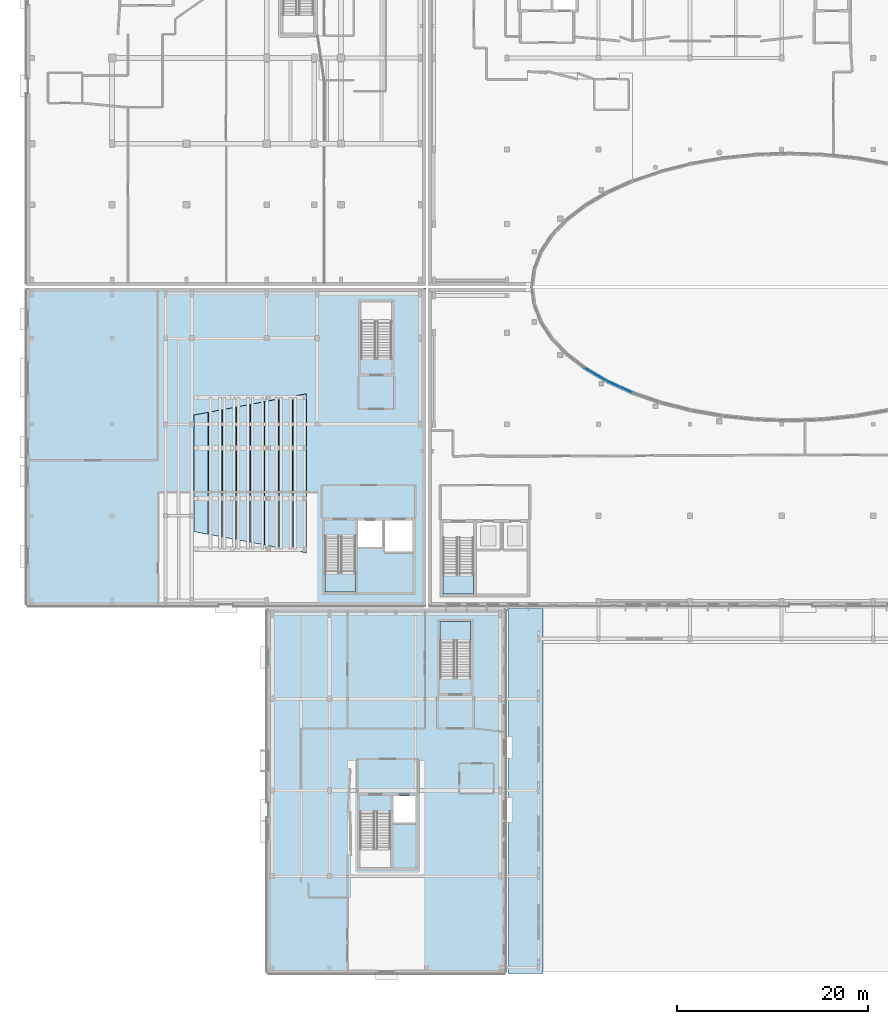
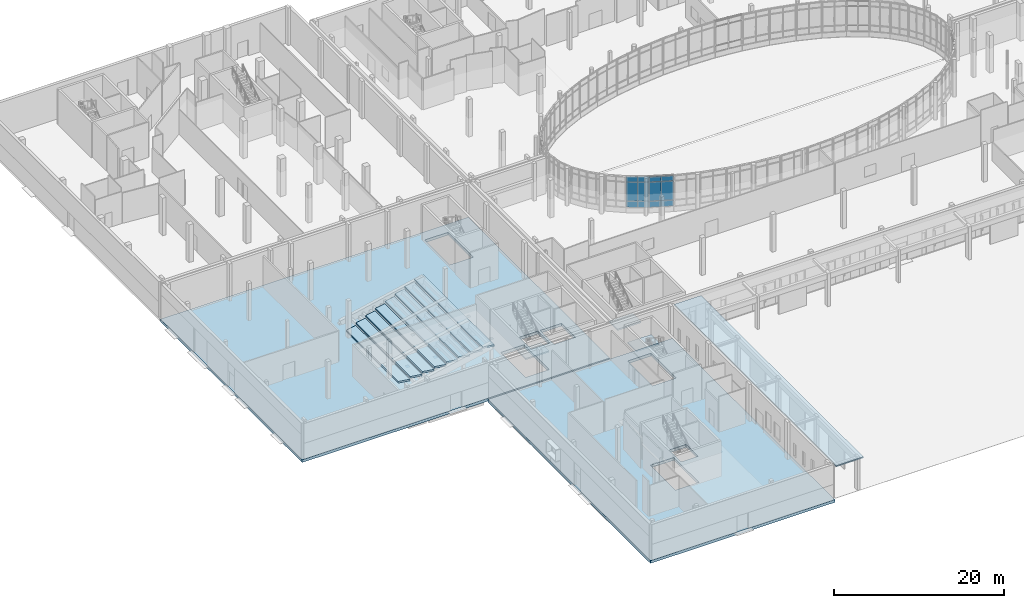
# One storey, part 28 of 84: 14 slabs, 12 plates, 5 elements without a shape of their own.
"""IFC4 building model written with IfcOpenShell, lengths in metres."""

from ifc_helpers import new_model, si_unit, direction, frame, origin, origin_2d, place, context, subcontext, project, spatial, polyline, rectangle, outline, extrude, material, layer, layer_set, type_object, element, aggregate, save


model = new_model("IFC4")

# Units and contexts
model_context = context("Model", 3, precision=1e-05, world=origin(), true_north=direction((0.0, 1.0)))
body_context = subcontext(model_context, "Body", "Model", "MODEL_VIEW")
ifc_project = project(units=[si_unit("LENGTHUNIT", "METRE"), si_unit("AREAUNIT", "SQUARE_METRE"), si_unit("VOLUMEUNIT", "CUBIC_METRE"), si_unit("PLANEANGLEUNIT", "RADIAN"), si_unit("MASSUNIT", "GRAM", prefix="KILO")], contexts=[model_context])

# Site, building, storey
site_placement = place(None, origin())
site = spatial("IfcSite", under=ifc_project, at=site_placement, CompositionType="ELEMENT")
building_placement = place(site_placement, origin())
building = spatial("IfcBuilding", under=site, at=building_placement, Name="Mzevani Central Library", CompositionType="ELEMENT")
storey_placement = place(building_placement, origin())
storey = spatial("IfcBuildingStorey", under=building, at=storey_placement, Name="L00", CompositionType="ELEMENT", Elevation=0.0)

# Slabs
ifc_material_1 = material(Name="Concrete C35/45", Category="concrete")
ifc_layer_1 = layer(ifc_material_1, 0.239990234375, Name="Auditorium Raked Tier Slab 240")
ifc_layer_set_1 = layer_set([ifc_layer_1], Name="Concrete C35/45")
slab_type_1 = type_object("IfcSlabType", Name="Auditorium Raked Tier Slab 240", PredefinedType="USERDEFINED", material=ifc_layer_set_1)
slab_1_placement = place(storey_placement, frame((0.0, 0.0, 0.1201171875)))
element("IfcSlab", 1, at=slab_1_placement, inside=storey, type_object=slab_type_1, Name="L00 Raked Auditorium Seating Tier 1", ObjectType="SEATING TIER", PredefinedType="USERDEFINED", context=body_context, shape_type="SweptSolid", body=[
    extrude(outline(polyline([(21.60009765625, 50.340087890625), (23.0400390625, 50.06005859375), (23.0400390625, 62.840087890625), (21.60009765625, 62.56005859375), (21.60009765625, 50.340087890625)])), origin(), (0.0, 0.0, 1.0), 0.239990234375),
])
slab_2_placement = place(storey_placement, frame((0.0, 0.0, 0.47998046875)))
element("IfcSlab", 2, at=slab_2_placement, inside=storey, type_object=slab_type_1, Name="L00 Raked Auditorium Seating Tier 2", ObjectType="SEATING TIER", PredefinedType="USERDEFINED", context=body_context, shape_type="SweptSolid", body=[
    extrude(outline(polyline([(23.080078125, 50.06005859375), (24.52001953125, 49.780029296875), (24.52001953125, 63.1201171875), (23.080078125, 62.840087890625), (23.080078125, 50.06005859375)])), origin(), (0.0, 0.0, 1.0), 0.239990234375),
])
slab_3_placement = place(storey_placement, frame((0.0, 0.0, 0.840087890625)))
element("IfcSlab", 3, at=slab_3_placement, inside=storey, type_object=slab_type_1, Name="L00 Raked Auditorium Seating Tier 3", ObjectType="SEATING TIER", PredefinedType="USERDEFINED", context=body_context, shape_type="SweptSolid", body=[
    extrude(outline(polyline([(24.56005859375, 49.780029296875), (26.0, 49.5), (26.0, 63.39990234375), (24.56005859375, 63.1201171875), (24.56005859375, 49.780029296875)])), origin(), (0.0, 0.0, 1.0), 0.239990234375),
])
slab_4_placement = place(storey_placement, frame((0.0, 0.0, 1.199951171875)))
element("IfcSlab", 4, at=slab_4_placement, inside=storey, type_object=slab_type_1, Name="L00 Raked Auditorium Seating Tier 4", ObjectType="SEATING TIER", PredefinedType="USERDEFINED", context=body_context, shape_type="SweptSolid", body=[
    extrude(outline(polyline([(26.0400390625, 49.5), (27.47998046875, 49.219970703125), (27.47998046875, 63.679931640625), (26.0400390625, 63.39990234375), (26.0400390625, 49.5)])), origin(), (0.0, 0.0, 1.0), 0.239990234375),
])
slab_5_placement = place(storey_placement, frame((0.0, 0.0, 1.56005859375)))
element("IfcSlab", 5, at=slab_5_placement, inside=storey, type_object=slab_type_1, Name="L00 Raked Auditorium Seating Tier 5", ObjectType="SEATING TIER", PredefinedType="USERDEFINED", context=body_context, shape_type="SweptSolid", body=[
    extrude(outline(polyline([(27.52001953125, 49.219970703125), (28.9599609375, 48.93994140625), (28.9599609375, 63.9599609375), (27.52001953125, 63.679931640625), (27.52001953125, 49.219970703125)])), origin(), (0.0, 0.0, 1.0), 0.239990234375),
])
slab_6_placement = place(storey_placement, frame((0.0, 0.0, 1.919921875)))
element("IfcSlab", 6, at=slab_6_placement, inside=storey, type_object=slab_type_1, Name="L00 Raked Auditorium Seating Tier 6", ObjectType="SEATING TIER", PredefinedType="USERDEFINED", context=body_context, shape_type="SweptSolid", body=[
    extrude(outline(polyline([(29.0, 48.93994140625), (30.43994140625, 48.659912109375), (30.43994140625, 64.239990234375), (29.0, 63.9599609375), (29.0, 48.93994140625)])), origin(), (0.0, 0.0, 1.0), 0.239990234375),
])
slab_7_placement = place(storey_placement, frame((0.0, 0.0, 2.280029296875)))
element("IfcSlab", 7, at=slab_7_placement, inside=storey, type_object=slab_type_1, Name="L00 Raked Auditorium Seating Tier 7", ObjectType="SEATING TIER", PredefinedType="USERDEFINED", context=body_context, shape_type="SweptSolid", body=[
    extrude(outline(polyline([(30.47998046875, 48.659912109375), (31.919921875, 48.3798828125), (31.919921875, 64.52001953125), (30.47998046875, 64.239990234375), (30.47998046875, 48.659912109375)])), origin(), (0.0, 0.0, 1.0), 0.239990234375),
])
slab_8_placement = place(storey_placement, frame((0.0, 0.0, 2.639892578125)))
element("IfcSlab", 8, at=slab_8_placement, inside=storey, type_object=slab_type_1, Name="L00 Raked Auditorium Seating Tier 8", ObjectType="SEATING TIER", PredefinedType="USERDEFINED", context=body_context, shape_type="SweptSolid", body=[
    extrude(outline(polyline([(31.9599609375, 48.3798828125), (33.39990234375, 48.10009765625), (33.39990234375, 64.800048828125), (31.9599609375, 64.52001953125), (31.9599609375, 48.3798828125)])), origin(), (0.0, 0.0, 1.0), 0.239990234375),
])

# Curtain wall, plates
ifc_material_2 = material(Name="Thermally broken aluminium and Low-E triple glazing", Category="aluminium")
curtain_wall_type_1 = type_object("IfcCurtainWallType", Name="Elliptical Court Unitised Curtain Wall", PredefinedType="NOTDEFINED", material=ifc_material_2)
curtain_wall_1_placement = place(storey_placement, origin())
curtain_wall_1 = element("IfcCurtainWall", 9, at=curtain_wall_1_placement, inside=storey, type_object=curtain_wall_type_1, Name="L00 Elliptical Court Curtain Wall 30", PredefinedType="NOTDEFINED")
ifc_material_3 = material(Name="Thermally broken aluminium AW-6060", Category="aluminium")
ifc_layer_2 = layer(ifc_material_3, 0.0419921875, Name="CW Insulated Spandrel Panel 42")
ifc_layer_set_2 = layer_set([ifc_layer_2], Name="Thermally broken aluminium AW-6060")
plate_type_1 = type_object("IfcPlateType", Name="CW Insulated Spandrel Panel 42", PredefinedType="CURTAIN_PANEL", material=ifc_layer_set_2)
plate_1_placement = place(storey_placement, frame((63.115478515625, 67.161376953125, 0.719970703125), z_axis=(0.0, 0.0, 1.0), x_axis=(0.862137189544, -0.506674911956, 0.0)))
plate_1 = element("IfcPlate", 10, at=plate_1_placement, type_object=plate_type_1, Name="L00 Elliptical Court Curtain Wall 30 Spandrel Panel 1", PredefinedType="CURTAIN_PANEL", context=body_context, shape_type="SweptSolid", body=[
    extrude(rectangle(XDim=1.340576171875, YDim=0.0419921875, at=origin_2d()), origin(), (0.0, 0.0, 1.0), 0.89990234375),
])
plate_2_placement = place(storey_placement, frame((64.271240234375, 66.482177734375, 0.719970703125), z_axis=(0.0, 0.0, 1.0), x_axis=(0.862137189544, -0.506674911956, 0.0)))
plate_2 = element("IfcPlate", 11, at=plate_2_placement, type_object=plate_type_1, Name="L00 Elliptical Court Curtain Wall 30 Spandrel Panel 4", PredefinedType="CURTAIN_PANEL", context=body_context, shape_type="SweptSolid", body=[
    extrude(rectangle(XDim=1.340576171875, YDim=0.0419921875, at=origin_2d()), origin(), (0.0, 0.0, 1.0), 0.89990234375),
])

curtain_wall_type_2 = type_object("IfcCurtainWallType", Name="Reading Hall Northlight Curtain Wall", PredefinedType="NOTDEFINED", material=ifc_material_2)
curtain_wall_2_placement = place(storey_placement, origin())
curtain_wall_2 = element("IfcCurtainWall", 12, at=curtain_wall_2_placement, inside=storey, type_object=curtain_wall_type_2, Name="L00 Elliptical Court Curtain Wall 31", PredefinedType="NOTDEFINED")
plate_3_placement = place(storey_placement, frame((65.518798828125, 65.823974609375, 0.719970703125), z_axis=(0.0, 0.0, 1.0), x_axis=(0.911237291888, -0.411881776573, 0.0)))
plate_3 = element("IfcPlate", 13, at=plate_3_placement, type_object=plate_type_1, Name="L00 Elliptical Court Curtain Wall 31 Spandrel Panel 1", PredefinedType="CURTAIN_PANEL", context=body_context, shape_type="SweptSolid", body=[
    extrude(rectangle(XDim=1.4462890625, YDim=0.0419921875, at=origin_2d()), origin(), (0.0, 0.0, 1.0), 0.89990234375),
])
plate_4_placement = place(storey_placement, frame((66.836669921875, 65.228271484375, 0.719970703125), z_axis=(0.0, 0.0, 1.0), x_axis=(0.911237291888, -0.411881776573, 0.0)))
plate_4 = element("IfcPlate", 14, at=plate_4_placement, type_object=plate_type_1, Name="L00 Elliptical Court Curtain Wall 31 Spandrel Panel 4", PredefinedType="CURTAIN_PANEL", context=body_context, shape_type="SweptSolid", body=[
    extrude(rectangle(XDim=1.4462890625, YDim=0.0419921875, at=origin_2d()), origin(), (0.0, 0.0, 1.0), 0.89990234375),
])

# Plate
ifc_material_4 = material(Name="Low-E triple glazing glass", Category="glass")
ifc_layer_3 = layer(ifc_material_4, 0.028076171875, Name="CW Triple Glazed Vision Panel 28")
ifc_layer_set_3 = layer_set([ifc_layer_3], Name="Low-E triple glazing glass")
plate_type_2 = type_object("IfcPlateType", Name="CW Triple Glazed Vision Panel 28", PredefinedType="CURTAIN_PANEL", material=ifc_layer_set_3)
plate_5_placement = place(storey_placement, frame((63.115478515625, 67.161376953125, 1.6201171875), z_axis=(0.0, 0.0, 1.0), x_axis=(0.862137189544, -0.506674911956, 0.0)))
plate_5 = element("IfcPlate", 15, at=plate_5_placement, type_object=plate_type_2, Name="L00 Elliptical Court Curtain Wall 30 Vision Panel 2", PredefinedType="CURTAIN_PANEL", context=body_context, shape_type="SweptSolid", body=[
    extrude(rectangle(XDim=1.340576171875, YDim=0.028076171875, at=origin_2d()), origin(), (0.0, 0.0, 1.0), 2.75),
])

plate_6_placement = place(storey_placement, frame((63.115478515625, 67.161376953125, 4.3701171875), z_axis=(0.0, 0.0, 1.0), x_axis=(0.862137189544, -0.506674911956, 0.0)))
plate_6 = element("IfcPlate", 16, at=plate_6_placement, type_object=plate_type_2, Name="L00 Elliptical Court Curtain Wall 30 Vision Panel 3", PredefinedType="CURTAIN_PANEL", context=body_context, shape_type="SweptSolid", body=[
    extrude(rectangle(XDim=1.340576171875, YDim=0.028076171875, at=origin_2d()), origin(), (0.0, 0.0, 1.0), 0.75),
])

plate_7_placement = place(storey_placement, frame((64.271240234375, 66.482177734375, 1.6201171875), z_axis=(0.0, 0.0, 1.0), x_axis=(0.862137189544, -0.506674911956, 0.0)))
plate_7 = element("IfcPlate", 17, at=plate_7_placement, type_object=plate_type_2, Name="L00 Elliptical Court Curtain Wall 30 Vision Panel 5", PredefinedType="CURTAIN_PANEL", context=body_context, shape_type="SweptSolid", body=[
    extrude(rectangle(XDim=1.340576171875, YDim=0.028076171875, at=origin_2d()), origin(), (0.0, 0.0, 1.0), 2.75),
])

plate_8_placement = place(storey_placement, frame((64.271240234375, 66.482177734375, 4.3701171875), z_axis=(0.0, 0.0, 1.0), x_axis=(0.862137189544, -0.506674911956, 0.0)))
plate_8 = element("IfcPlate", 18, at=plate_8_placement, type_object=plate_type_2, Name="L00 Elliptical Court Curtain Wall 30 Vision Panel 6", PredefinedType="CURTAIN_PANEL", context=body_context, shape_type="SweptSolid", body=[
    extrude(rectangle(XDim=1.340576171875, YDim=0.028076171875, at=origin_2d()), origin(), (0.0, 0.0, 1.0), 0.75),
])

aggregate(curtain_wall_1, [plate_1, plate_5, plate_6, plate_2, plate_7, plate_8])

plate_9_placement = place(storey_placement, frame((65.518798828125, 65.823974609375, 1.6201171875), z_axis=(0.0, 0.0, 1.0), x_axis=(0.911237291888, -0.411881776573, 0.0)))
plate_9 = element("IfcPlate", 19, at=plate_9_placement, type_object=plate_type_2, Name="L00 Elliptical Court Curtain Wall 31 Vision Panel 2", PredefinedType="CURTAIN_PANEL", context=body_context, shape_type="SweptSolid", body=[
    extrude(rectangle(XDim=1.4462890625, YDim=0.028076171875, at=origin_2d()), origin(), (0.0, 0.0, 1.0), 2.75),
])

plate_10_placement = place(storey_placement, frame((65.518798828125, 65.823974609375, 4.3701171875), z_axis=(0.0, 0.0, 1.0), x_axis=(0.911237291888, -0.411881776573, 0.0)))
plate_10 = element("IfcPlate", 20, at=plate_10_placement, type_object=plate_type_2, Name="L00 Elliptical Court Curtain Wall 31 Vision Panel 3", PredefinedType="CURTAIN_PANEL", context=body_context, shape_type="SweptSolid", body=[
    extrude(rectangle(XDim=1.4462890625, YDim=0.028076171875, at=origin_2d()), origin(), (0.0, 0.0, 1.0), 0.75),
])

plate_11_placement = place(storey_placement, frame((66.836669921875, 65.228271484375, 1.6201171875), z_axis=(0.0, 0.0, 1.0), x_axis=(0.911237291888, -0.411881776573, 0.0)))
plate_11 = element("IfcPlate", 21, at=plate_11_placement, type_object=plate_type_2, Name="L00 Elliptical Court Curtain Wall 31 Vision Panel 5", PredefinedType="CURTAIN_PANEL", context=body_context, shape_type="SweptSolid", body=[
    extrude(rectangle(XDim=1.4462890625, YDim=0.028076171875, at=origin_2d()), origin(), (0.0, 0.0, 1.0), 2.75),
])

plate_12_placement = place(storey_placement, frame((66.836669921875, 65.228271484375, 4.3701171875), z_axis=(0.0, 0.0, 1.0), x_axis=(0.911237291888, -0.411881776573, 0.0)))
plate_12 = element("IfcPlate", 22, at=plate_12_placement, type_object=plate_type_2, Name="L00 Elliptical Court Curtain Wall 31 Vision Panel 6", PredefinedType="CURTAIN_PANEL", context=body_context, shape_type="SweptSolid", body=[
    extrude(rectangle(XDim=1.4462890625, YDim=0.028076171875, at=origin_2d()), origin(), (0.0, 0.0, 1.0), 0.75),
])

aggregate(curtain_wall_2, [plate_3, plate_9, plate_10, plate_4, plate_11, plate_12])

# Slabs
ifc_material_5 = material(Name="Precast concrete C40/50", Category="concrete")
ifc_layer_4 = layer(ifc_material_5, 0.159912109375, Name="Colonnade Shade Canopy Slab 160")
ifc_layer_set_4 = layer_set([ifc_layer_4], Name="Precast concrete C40/50")
slab_type_2 = type_object("IfcSlabType", Name="Colonnade Shade Canopy Slab 160", PredefinedType="ROOF", material=ifc_layer_set_4)
slab_9_placement = place(storey_placement, frame((0.0, 0.0, 4.639892578125)))
element("IfcSlab", 23, at=slab_9_placement, inside=storey, type_object=slab_type_2, Name="L00 Mzevani Square COL-WEST Canopy Slab", PredefinedType="ROOF", context=body_context, shape_type="SweptSolid", body=[
    extrude(outline(polyline([(58.199951171875, 4.0), (54.5, 4.0), (54.5, 42.300048828125), (58.199951171875, 42.300048828125), (58.199951171875, 4.0)])), origin(), (0.0, 0.0, 1.0), 0.16015625),
])
ifc_layer_5 = layer(ifc_material_1, 0.280029296875, Name="Open Stack Floor Slab 280")
ifc_layer_set_5 = layer_set([ifc_layer_5], Name="Concrete C35/45")
slab_type_3 = type_object("IfcSlabType", Name="Open Stack Floor Slab 280", PredefinedType="FLOOR", material=ifc_layer_set_5)
slab_10_placement = place(storey_placement, frame((0.0, 0.0, -0.39990234375)))
element("IfcSlab", 24, at=slab_10_placement, inside=storey, type_object=slab_type_3, Name="L00 V4 Structural Slab FS-03", PredefinedType="FLOOR", context=body_context, shape_type="SweptSolid", body=[
    extrude(outline(polyline([(54.300048828125, 4.0), (29.199951171875, 4.0), (29.199951171875, 42.300048828125), (54.300048828125, 42.300048828125), (54.300048828125, 4.0)]), holes=[polyline([(39.0, 21.0), (39.0, 15.10009765625), (42.199951171875, 15.10009765625), (42.199951171875, 21.0), (39.0, 21.0)]), polyline([(42.5, 19.800048828125), (44.800048828125, 19.800048828125), (44.800048828125, 22.60009765625), (42.5, 22.60009765625), (42.5, 19.800048828125)]), polyline([(50.60009765625, 35.0), (50.60009765625, 40.89990234375), (47.39990234375, 40.89990234375), (47.39990234375, 35.0), (50.60009765625, 35.0)])]), origin(), (0.0, 0.0, 1.0), 0.39990234375),
])
slab_11_placement = place(storey_placement, frame((0.0, 0.0, -0.39990234375)))
element("IfcSlab", 25, at=slab_11_placement, inside=storey, type_object=slab_type_3, Name="L00 V5 Structural Slab FS-03", PredefinedType="FLOOR", context=body_context, shape_type="SweptSolid", body=[
    extrude(outline(polyline([(45.89990234375, 42.5), (4.0, 42.5), (4.0, 75.89990234375), (45.89990234375, 75.89990234375), (45.89990234375, 42.5)]), holes=[polyline([(35.300048828125, 49.89990234375), (35.300048828125, 44.0), (38.5, 44.0), (38.5, 49.89990234375), (35.300048828125, 49.89990234375)]), polyline([(38.800048828125, 48.699951171875), (41.300048828125, 48.699951171875), (41.300048828125, 51.5), (38.800048828125, 51.5), (38.800048828125, 48.699951171875)]), polyline([(41.60009765625, 48.199951171875), (44.5, 48.199951171875), (44.5, 51.5), (41.60009765625, 51.5), (41.60009765625, 48.199951171875)]), polyline([(42.300048828125, 68.5), (42.300048828125, 74.39990234375), (39.10009765625, 74.39990234375), (39.10009765625, 68.5), (42.300048828125, 68.5)])]), origin(), (0.0, 0.0, 1.0), 0.39990234375),
])

# Stair, slab
stair_type = type_object("IfcStairType", Name="Dogleg Exit Stair 180x280", PredefinedType="HALF_TURN_STAIR", material=ifc_material_1)
stair_1_placement = place(storey_placement, origin())
stair_1 = element("IfcStair", 26, at=stair_1_placement, inside=storey, type_object=stair_type, Name="L00 Core C1A Reading Hall West Exit Stair ST-01", PredefinedType="HALF_TURN_STAIR")
ifc_layer_6 = layer(ifc_material_1, 0.199951171875, Name="Stair Landing Slab 200")
ifc_layer_set_6 = layer_set([ifc_layer_6], Name="Concrete C35/45")
slab_type_4 = type_object("IfcSlabType", Name="Stair Landing Slab 200", PredefinedType="LANDING", material=ifc_layer_set_6)
slab_12_placement = place(storey_placement, frame((0.0, 0.0, 2.5)))
slab_12 = element("IfcSlab", 27, at=slab_12_placement, type_object=slab_type_4, Name="ST-01 landing 1", PredefinedType="LANDING", context=body_context, shape_type="SweptSolid", body=[
    extrude(outline(polyline([(47.699951171875, 45.780029296875), (47.699951171875, 43.800048828125), (50.89990234375, 43.800048828125), (50.89990234375, 45.780029296875), (47.699951171875, 45.780029296875)])), origin(), (0.0, 0.0, 1.0), 0.199951171875),
])
aggregate(stair_1, [slab_12])

stair_2_placement = place(storey_placement, origin())
stair_2 = element("IfcStair", 28, at=stair_2_placement, inside=storey, type_object=stair_type, Name="L00 Core C4B Square South Escape Stair Exit Stair ST-01", PredefinedType="HALF_TURN_STAIR")
slab_13_placement = place(storey_placement, frame((0.0, 0.0, 2.5)))
slab_13 = element("IfcSlab", 29, at=slab_13_placement, type_object=slab_type_4, Name="ST-08 landing 1", PredefinedType="LANDING", context=body_context, shape_type="SweptSolid", body=[
    extrude(outline(polyline([(50.60009765625, 38.919921875), (50.60009765625, 40.89990234375), (47.39990234375, 40.89990234375), (47.39990234375, 38.919921875), (50.60009765625, 38.919921875)])), origin(), (0.0, 0.0, 1.0), 0.199951171875),
])
aggregate(stair_2, [slab_13])

stair_3_placement = place(storey_placement, origin())
stair_3 = element("IfcStair", 30, at=stair_3_placement, inside=storey, type_object=stair_type, Name="L00 Core C5A Auditorium & Goods Core Exit Stair ST-01", PredefinedType="HALF_TURN_STAIR")
slab_14_placement = place(storey_placement, frame((0.0, 0.0, 2.5)))
slab_14 = element("IfcSlab", 31, at=slab_14_placement, type_object=slab_type_4, Name="ST-09 landing 1", PredefinedType="LANDING", context=body_context, shape_type="SweptSolid", body=[
    extrude(outline(polyline([(35.300048828125, 45.97998046875), (35.300048828125, 44.0), (38.5, 44.0), (38.5, 45.97998046875), (35.300048828125, 45.97998046875)])), origin(), (0.0, 0.0, 1.0), 0.199951171875),
])
aggregate(stair_3, [slab_14])

save(model, "model.ifc")
